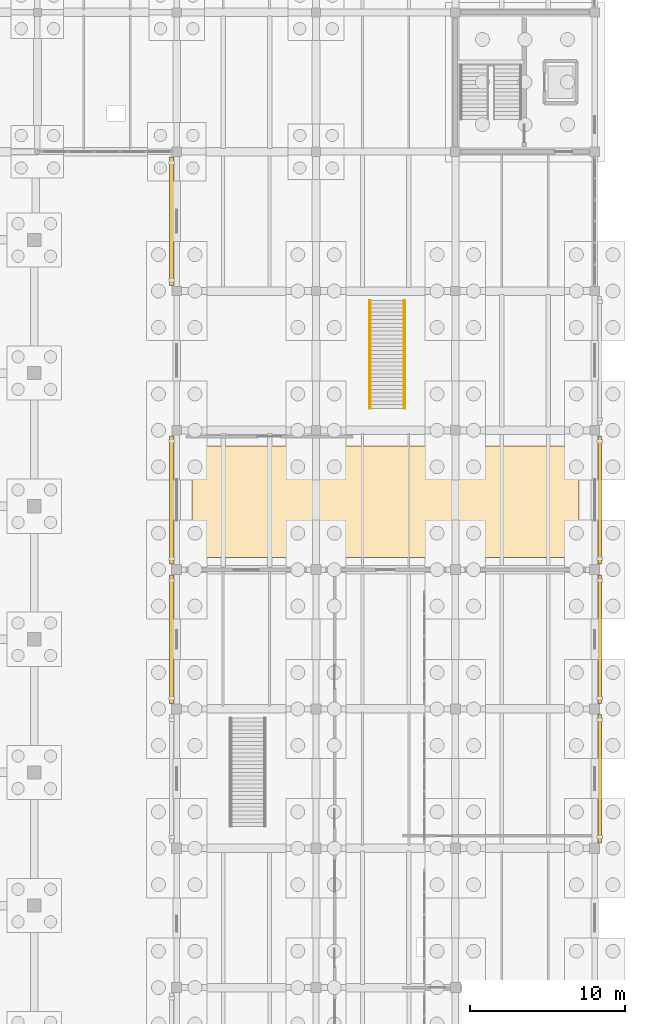
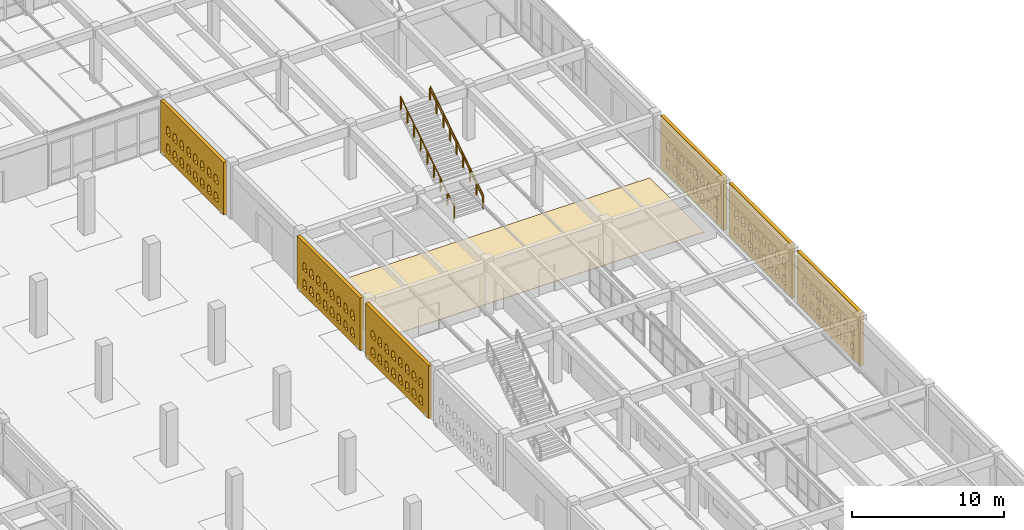
# One storey, part 184 of 186: 7 coverings, 4 railings.
"""IFC4 building model written with IfcOpenShell, lengths in metres."""

from ifc_helpers import new_model, si_unit, direction, frame, origin, origin_2d, place, context, subcontext, project, spatial, polyline, circle, outline, extrude, material, layer, layer_set, type_object, element, save


model = new_model("IFC4")

# Units and contexts
model_context = context("Model", 3, precision=1e-05, world=origin(), true_north=direction((0.0, 1.0)))
body_context = subcontext(model_context, "Body", "Model", "MODEL_VIEW")
ifc_project = project(units=[si_unit("LENGTHUNIT", "METRE"), si_unit("AREAUNIT", "SQUARE_METRE"), si_unit("VOLUMEUNIT", "CUBIC_METRE"), si_unit("PLANEANGLEUNIT", "RADIAN"), si_unit("MASSUNIT", "GRAM", prefix="KILO")], contexts=[model_context])

# Site, building, storey
site_placement = place(None, origin())
site = spatial("IfcSite", under=ifc_project, at=site_placement, CompositionType="ELEMENT")
building_placement = place(site_placement, origin())
building = spatial("IfcBuilding", under=site, at=building_placement, Name="Ornek Quay Market", CompositionType="ELEMENT")
storey_placement = place(building_placement, origin())
storey = spatial("IfcBuildingStorey", under=building, at=storey_placement, Name="L00", CompositionType="ELEMENT", Elevation=0.0)

# Coverings
ifc_material_1 = material(Name="Frost-resistant facing clay brick M200 F100", Category="masonry")
ifc_layer_1 = layer(ifc_material_1, 0.25, Name="Frost-resistant facing clay brick M200 F100", Category="masonry")
ifc_layer_set_1 = layer_set([ifc_layer_1], Name="Frost-resistant facing clay brick M200 F100")
covering_type_1 = type_object("IfcCoveringType", Name="COV-BRICK-LATTICE-250", PredefinedType="CLADDING", material=ifc_layer_set_1)
covering_1_placement = place(storey_placement, frame((152.669921875, 65.35009765625, 0.0), z_axis=(0.0, 0.0, 1.0), x_axis=(0.0, 1.0, 0.0)))
element("IfcCovering", 1, at=covering_1_placement, inside=storey, type_object=covering_type_1, Name="Arched brick lattice screen BLS-070", PredefinedType="CLADDING", context=body_context, shape_type="SweptSolid", body=[
    extrude(outline(polyline([(0.0, 0.0), (8.2998046875, 0.0), (8.2998046875, 4.22998046875), (0.0, 4.22998046875), (0.0, 0.0)]), holes=[polyline([(0.760009765625, 0.550048828125), (1.239990234375, 0.550048828125), (1.239990234375, 1.050048828125), (1.1201171875, 1.2578125), (0.8798828125, 1.2578125), (0.760009765625, 1.050048828125), (0.760009765625, 0.550048828125)]), polyline([(0.760009765625, 1.949951171875), (1.239990234375, 1.949951171875), (1.239990234375, 2.449951171875), (1.1201171875, 2.65771484375), (0.8798828125, 2.65771484375), (0.760009765625, 2.449951171875), (0.760009765625, 1.949951171875)]), polyline([(1.659912109375, 0.550048828125), (2.139892578125, 0.550048828125), (2.139892578125, 1.050048828125), (2.02001953125, 1.2578125), (1.780029296875, 1.2578125), (1.659912109375, 1.050048828125), (1.659912109375, 0.550048828125)]), polyline([(1.659912109375, 1.949951171875), (2.139892578125, 1.949951171875), (2.139892578125, 2.449951171875), (2.02001953125, 2.65771484375), (1.780029296875, 2.65771484375), (1.659912109375, 2.449951171875), (1.659912109375, 1.949951171875)]), polyline([(2.56005859375, 0.550048828125), (3.0400390625, 0.550048828125), (3.0400390625, 1.050048828125), (2.919921875, 1.2578125), (2.679931640625, 1.2578125), (2.56005859375, 1.050048828125), (2.56005859375, 0.550048828125)]), polyline([(2.56005859375, 1.949951171875), (3.0400390625, 1.949951171875), (3.0400390625, 2.449951171875), (2.919921875, 2.65771484375), (2.679931640625, 2.65771484375), (2.56005859375, 2.449951171875), (2.56005859375, 1.949951171875)]), polyline([(3.4599609375, 0.550048828125), (3.93994140625, 0.550048828125), (3.93994140625, 1.050048828125), (3.820068359375, 1.2578125), (3.580078125, 1.2578125), (3.4599609375, 1.050048828125), (3.4599609375, 0.550048828125)]), polyline([(3.4599609375, 1.949951171875), (3.93994140625, 1.949951171875), (3.93994140625, 2.449951171875), (3.820068359375, 2.65771484375), (3.580078125, 2.65771484375), (3.4599609375, 2.449951171875), (3.4599609375, 1.949951171875)]), polyline([(4.360107421875, 0.550048828125), (4.840087890625, 0.550048828125), (4.840087890625, 1.050048828125), (4.719970703125, 1.2578125), (4.47998046875, 1.2578125), (4.360107421875, 1.050048828125), (4.360107421875, 0.550048828125)]), polyline([(4.360107421875, 1.949951171875), (4.840087890625, 1.949951171875), (4.840087890625, 2.449951171875), (4.719970703125, 2.65771484375), (4.47998046875, 2.65771484375), (4.360107421875, 2.449951171875), (4.360107421875, 1.949951171875)]), polyline([(5.260009765625, 0.550048828125), (5.739990234375, 0.550048828125), (5.739990234375, 1.050048828125), (5.6201171875, 1.2578125), (5.3798828125, 1.2578125), (5.260009765625, 1.050048828125), (5.260009765625, 0.550048828125)]), polyline([(5.260009765625, 1.949951171875), (5.739990234375, 1.949951171875), (5.739990234375, 2.449951171875), (5.6201171875, 2.65771484375), (5.3798828125, 2.65771484375), (5.260009765625, 2.449951171875), (5.260009765625, 1.949951171875)]), polyline([(6.159912109375, 0.550048828125), (6.639892578125, 0.550048828125), (6.639892578125, 1.050048828125), (6.52001953125, 1.2578125), (6.280029296875, 1.2578125), (6.159912109375, 1.050048828125), (6.159912109375, 0.550048828125)]), polyline([(6.159912109375, 1.949951171875), (6.639892578125, 1.949951171875), (6.639892578125, 2.449951171875), (6.52001953125, 2.65771484375), (6.280029296875, 2.65771484375), (6.159912109375, 2.449951171875), (6.159912109375, 1.949951171875)]), polyline([(7.06005859375, 0.550048828125), (7.5400390625, 0.550048828125), (7.5400390625, 1.050048828125), (7.419921875, 1.2578125), (7.179931640625, 1.2578125), (7.06005859375, 1.050048828125), (7.06005859375, 0.550048828125)]), polyline([(7.06005859375, 1.949951171875), (7.5400390625, 1.949951171875), (7.5400390625, 2.449951171875), (7.419921875, 2.65771484375), (7.179931640625, 2.65771484375), (7.06005859375, 2.449951171875), (7.06005859375, 1.949951171875)])]), frame((0.0, 0.125, 0.0), z_axis=(0.0, -1.0, 0.0), x_axis=(1.0, 0.0, 0.0)), (0.0, 0.0, 1.0), 0.25),
])
covering_2_placement = place(storey_placement, frame((152.669921875, 83.35009765625, 0.0), z_axis=(0.0, 0.0, 1.0), x_axis=(0.0, 1.0, 0.0)))
element("IfcCovering", 2, at=covering_2_placement, inside=storey, type_object=covering_type_1, Name="Arched brick lattice screen BLS-071", PredefinedType="CLADDING", context=body_context, shape_type="SweptSolid", body=[
    extrude(outline(polyline([(0.0, 0.0), (8.2998046875, 0.0), (8.2998046875, 4.22998046875), (0.0, 4.22998046875), (0.0, 0.0)]), holes=[polyline([(0.760009765625, 0.550048828125), (1.239990234375, 0.550048828125), (1.239990234375, 1.050048828125), (1.1201171875, 1.2578125), (0.8798828125, 1.2578125), (0.760009765625, 1.050048828125), (0.760009765625, 0.550048828125)]), polyline([(0.760009765625, 1.949951171875), (1.239990234375, 1.949951171875), (1.239990234375, 2.449951171875), (1.1201171875, 2.65771484375), (0.8798828125, 2.65771484375), (0.760009765625, 2.449951171875), (0.760009765625, 1.949951171875)]), polyline([(1.659912109375, 0.550048828125), (2.139892578125, 0.550048828125), (2.139892578125, 1.050048828125), (2.02001953125, 1.2578125), (1.780029296875, 1.2578125), (1.659912109375, 1.050048828125), (1.659912109375, 0.550048828125)]), polyline([(1.659912109375, 1.949951171875), (2.139892578125, 1.949951171875), (2.139892578125, 2.449951171875), (2.02001953125, 2.65771484375), (1.780029296875, 2.65771484375), (1.659912109375, 2.449951171875), (1.659912109375, 1.949951171875)]), polyline([(2.56005859375, 0.550048828125), (3.0400390625, 0.550048828125), (3.0400390625, 1.050048828125), (2.919921875, 1.2578125), (2.679931640625, 1.2578125), (2.56005859375, 1.050048828125), (2.56005859375, 0.550048828125)]), polyline([(2.56005859375, 1.949951171875), (3.0400390625, 1.949951171875), (3.0400390625, 2.449951171875), (2.919921875, 2.65771484375), (2.679931640625, 2.65771484375), (2.56005859375, 2.449951171875), (2.56005859375, 1.949951171875)]), polyline([(3.4599609375, 0.550048828125), (3.93994140625, 0.550048828125), (3.93994140625, 1.050048828125), (3.820068359375, 1.2578125), (3.580078125, 1.2578125), (3.4599609375, 1.050048828125), (3.4599609375, 0.550048828125)]), polyline([(3.4599609375, 1.949951171875), (3.93994140625, 1.949951171875), (3.93994140625, 2.449951171875), (3.820068359375, 2.65771484375), (3.580078125, 2.65771484375), (3.4599609375, 2.449951171875), (3.4599609375, 1.949951171875)]), polyline([(4.360107421875, 0.550048828125), (4.840087890625, 0.550048828125), (4.840087890625, 1.050048828125), (4.719970703125, 1.2578125), (4.47998046875, 1.2578125), (4.360107421875, 1.050048828125), (4.360107421875, 0.550048828125)]), polyline([(4.360107421875, 1.949951171875), (4.840087890625, 1.949951171875), (4.840087890625, 2.449951171875), (4.719970703125, 2.65771484375), (4.47998046875, 2.65771484375), (4.360107421875, 2.449951171875), (4.360107421875, 1.949951171875)]), polyline([(5.260009765625, 0.550048828125), (5.739990234375, 0.550048828125), (5.739990234375, 1.050048828125), (5.6201171875, 1.2578125), (5.3798828125, 1.2578125), (5.260009765625, 1.050048828125), (5.260009765625, 0.550048828125)]), polyline([(5.260009765625, 1.949951171875), (5.739990234375, 1.949951171875), (5.739990234375, 2.449951171875), (5.6201171875, 2.65771484375), (5.3798828125, 2.65771484375), (5.260009765625, 2.449951171875), (5.260009765625, 1.949951171875)]), polyline([(6.159912109375, 0.550048828125), (6.639892578125, 0.550048828125), (6.639892578125, 1.050048828125), (6.52001953125, 1.2578125), (6.280029296875, 1.2578125), (6.159912109375, 1.050048828125), (6.159912109375, 0.550048828125)]), polyline([(6.159912109375, 1.949951171875), (6.639892578125, 1.949951171875), (6.639892578125, 2.449951171875), (6.52001953125, 2.65771484375), (6.280029296875, 2.65771484375), (6.159912109375, 2.449951171875), (6.159912109375, 1.949951171875)]), polyline([(7.06005859375, 0.550048828125), (7.5400390625, 0.550048828125), (7.5400390625, 1.050048828125), (7.419921875, 1.2578125), (7.179931640625, 1.2578125), (7.06005859375, 1.050048828125), (7.06005859375, 0.550048828125)]), polyline([(7.06005859375, 1.949951171875), (7.5400390625, 1.949951171875), (7.5400390625, 2.449951171875), (7.419921875, 2.65771484375), (7.179931640625, 2.65771484375), (7.06005859375, 2.449951171875), (7.06005859375, 1.949951171875)])]), frame((0.0, 0.125, 0.0), z_axis=(0.0, -1.0, 0.0), x_axis=(1.0, 0.0, 0.0)), (0.0, 0.0, 1.0), 0.25),
])
covering_3_placement = place(storey_placement, frame((180.330078125, 65.35009765625, 0.0), z_axis=(0.0, 0.0, 1.0), x_axis=(0.0, 1.0, 0.0)))
element("IfcCovering", 3, at=covering_3_placement, inside=storey, type_object=covering_type_1, Name="Arched brick lattice screen BLS-072", PredefinedType="CLADDING", context=body_context, shape_type="SweptSolid", body=[
    extrude(outline(polyline([(0.0, 0.0), (8.2998046875, 0.0), (8.2998046875, 4.22998046875), (0.0, 4.22998046875), (0.0, 0.0)]), holes=[polyline([(0.760009765625, 0.550048828125), (1.239990234375, 0.550048828125), (1.239990234375, 1.050048828125), (1.1201171875, 1.2578125), (0.8798828125, 1.2578125), (0.760009765625, 1.050048828125), (0.760009765625, 0.550048828125)]), polyline([(0.760009765625, 1.949951171875), (1.239990234375, 1.949951171875), (1.239990234375, 2.449951171875), (1.1201171875, 2.65771484375), (0.8798828125, 2.65771484375), (0.760009765625, 2.449951171875), (0.760009765625, 1.949951171875)]), polyline([(1.659912109375, 0.550048828125), (2.139892578125, 0.550048828125), (2.139892578125, 1.050048828125), (2.02001953125, 1.2578125), (1.780029296875, 1.2578125), (1.659912109375, 1.050048828125), (1.659912109375, 0.550048828125)]), polyline([(1.659912109375, 1.949951171875), (2.139892578125, 1.949951171875), (2.139892578125, 2.449951171875), (2.02001953125, 2.65771484375), (1.780029296875, 2.65771484375), (1.659912109375, 2.449951171875), (1.659912109375, 1.949951171875)]), polyline([(2.56005859375, 0.550048828125), (3.0400390625, 0.550048828125), (3.0400390625, 1.050048828125), (2.919921875, 1.2578125), (2.679931640625, 1.2578125), (2.56005859375, 1.050048828125), (2.56005859375, 0.550048828125)]), polyline([(2.56005859375, 1.949951171875), (3.0400390625, 1.949951171875), (3.0400390625, 2.449951171875), (2.919921875, 2.65771484375), (2.679931640625, 2.65771484375), (2.56005859375, 2.449951171875), (2.56005859375, 1.949951171875)]), polyline([(3.4599609375, 0.550048828125), (3.93994140625, 0.550048828125), (3.93994140625, 1.050048828125), (3.820068359375, 1.2578125), (3.580078125, 1.2578125), (3.4599609375, 1.050048828125), (3.4599609375, 0.550048828125)]), polyline([(3.4599609375, 1.949951171875), (3.93994140625, 1.949951171875), (3.93994140625, 2.449951171875), (3.820068359375, 2.65771484375), (3.580078125, 2.65771484375), (3.4599609375, 2.449951171875), (3.4599609375, 1.949951171875)]), polyline([(4.360107421875, 0.550048828125), (4.840087890625, 0.550048828125), (4.840087890625, 1.050048828125), (4.719970703125, 1.2578125), (4.47998046875, 1.2578125), (4.360107421875, 1.050048828125), (4.360107421875, 0.550048828125)]), polyline([(4.360107421875, 1.949951171875), (4.840087890625, 1.949951171875), (4.840087890625, 2.449951171875), (4.719970703125, 2.65771484375), (4.47998046875, 2.65771484375), (4.360107421875, 2.449951171875), (4.360107421875, 1.949951171875)]), polyline([(5.260009765625, 0.550048828125), (5.739990234375, 0.550048828125), (5.739990234375, 1.050048828125), (5.6201171875, 1.2578125), (5.3798828125, 1.2578125), (5.260009765625, 1.050048828125), (5.260009765625, 0.550048828125)]), polyline([(5.260009765625, 1.949951171875), (5.739990234375, 1.949951171875), (5.739990234375, 2.449951171875), (5.6201171875, 2.65771484375), (5.3798828125, 2.65771484375), (5.260009765625, 2.449951171875), (5.260009765625, 1.949951171875)]), polyline([(6.159912109375, 0.550048828125), (6.639892578125, 0.550048828125), (6.639892578125, 1.050048828125), (6.52001953125, 1.2578125), (6.280029296875, 1.2578125), (6.159912109375, 1.050048828125), (6.159912109375, 0.550048828125)]), polyline([(6.159912109375, 1.949951171875), (6.639892578125, 1.949951171875), (6.639892578125, 2.449951171875), (6.52001953125, 2.65771484375), (6.280029296875, 2.65771484375), (6.159912109375, 2.449951171875), (6.159912109375, 1.949951171875)]), polyline([(7.06005859375, 0.550048828125), (7.5400390625, 0.550048828125), (7.5400390625, 1.050048828125), (7.419921875, 1.2578125), (7.179931640625, 1.2578125), (7.06005859375, 1.050048828125), (7.06005859375, 0.550048828125)]), polyline([(7.06005859375, 1.949951171875), (7.5400390625, 1.949951171875), (7.5400390625, 2.449951171875), (7.419921875, 2.65771484375), (7.179931640625, 2.65771484375), (7.06005859375, 2.449951171875), (7.06005859375, 1.949951171875)])]), frame((0.0, 0.125, 0.0), z_axis=(0.0, -1.0, 0.0), x_axis=(1.0, 0.0, 0.0)), (0.0, 0.0, 1.0), 0.25),
])
covering_4_placement = place(storey_placement, frame((152.669921875, 56.35009765625, 0.0), z_axis=(0.0, 0.0, 1.0), x_axis=(0.0, 1.0, 0.0)))
element("IfcCovering", 4, at=covering_4_placement, inside=storey, type_object=covering_type_1, Name="Arched brick lattice screen BLS-090", PredefinedType="CLADDING", context=body_context, shape_type="SweptSolid", body=[
    extrude(outline(polyline([(0.0, 0.0), (8.2998046875, 0.0), (8.2998046875, 4.25), (0.0, 4.25), (0.0, 0.0)]), holes=[polyline([(0.760009765625, 0.550048828125), (1.239990234375, 0.550048828125), (1.239990234375, 1.050048828125), (1.1201171875, 1.2578125), (0.8798828125, 1.2578125), (0.760009765625, 1.050048828125), (0.760009765625, 0.550048828125)]), polyline([(0.760009765625, 1.949951171875), (1.239990234375, 1.949951171875), (1.239990234375, 2.449951171875), (1.1201171875, 2.65771484375), (0.8798828125, 2.65771484375), (0.760009765625, 2.449951171875), (0.760009765625, 1.949951171875)]), polyline([(1.659912109375, 0.550048828125), (2.139892578125, 0.550048828125), (2.139892578125, 1.050048828125), (2.02001953125, 1.2578125), (1.780029296875, 1.2578125), (1.659912109375, 1.050048828125), (1.659912109375, 0.550048828125)]), polyline([(1.659912109375, 1.949951171875), (2.139892578125, 1.949951171875), (2.139892578125, 2.449951171875), (2.02001953125, 2.65771484375), (1.780029296875, 2.65771484375), (1.659912109375, 2.449951171875), (1.659912109375, 1.949951171875)]), polyline([(2.56005859375, 0.550048828125), (3.0400390625, 0.550048828125), (3.0400390625, 1.050048828125), (2.919921875, 1.2578125), (2.679931640625, 1.2578125), (2.56005859375, 1.050048828125), (2.56005859375, 0.550048828125)]), polyline([(2.56005859375, 1.949951171875), (3.0400390625, 1.949951171875), (3.0400390625, 2.449951171875), (2.919921875, 2.65771484375), (2.679931640625, 2.65771484375), (2.56005859375, 2.449951171875), (2.56005859375, 1.949951171875)]), polyline([(3.4599609375, 0.550048828125), (3.93994140625, 0.550048828125), (3.93994140625, 1.050048828125), (3.820068359375, 1.2578125), (3.580078125, 1.2578125), (3.4599609375, 1.050048828125), (3.4599609375, 0.550048828125)]), polyline([(3.4599609375, 1.949951171875), (3.93994140625, 1.949951171875), (3.93994140625, 2.449951171875), (3.820068359375, 2.65771484375), (3.580078125, 2.65771484375), (3.4599609375, 2.449951171875), (3.4599609375, 1.949951171875)]), polyline([(4.360107421875, 0.550048828125), (4.840087890625, 0.550048828125), (4.840087890625, 1.050048828125), (4.719970703125, 1.2578125), (4.47998046875, 1.2578125), (4.360107421875, 1.050048828125), (4.360107421875, 0.550048828125)]), polyline([(4.360107421875, 1.949951171875), (4.840087890625, 1.949951171875), (4.840087890625, 2.449951171875), (4.719970703125, 2.65771484375), (4.47998046875, 2.65771484375), (4.360107421875, 2.449951171875), (4.360107421875, 1.949951171875)]), polyline([(5.260009765625, 0.550048828125), (5.739990234375, 0.550048828125), (5.739990234375, 1.050048828125), (5.6201171875, 1.2578125), (5.3798828125, 1.2578125), (5.260009765625, 1.050048828125), (5.260009765625, 0.550048828125)]), polyline([(5.260009765625, 1.949951171875), (5.739990234375, 1.949951171875), (5.739990234375, 2.449951171875), (5.6201171875, 2.65771484375), (5.3798828125, 2.65771484375), (5.260009765625, 2.449951171875), (5.260009765625, 1.949951171875)]), polyline([(6.159912109375, 0.550048828125), (6.639892578125, 0.550048828125), (6.639892578125, 1.050048828125), (6.52001953125, 1.2578125), (6.280029296875, 1.2578125), (6.159912109375, 1.050048828125), (6.159912109375, 0.550048828125)]), polyline([(6.159912109375, 1.949951171875), (6.639892578125, 1.949951171875), (6.639892578125, 2.449951171875), (6.52001953125, 2.65771484375), (6.280029296875, 2.65771484375), (6.159912109375, 2.449951171875), (6.159912109375, 1.949951171875)]), polyline([(7.06005859375, 0.550048828125), (7.5400390625, 0.550048828125), (7.5400390625, 1.050048828125), (7.419921875, 1.2578125), (7.179931640625, 1.2578125), (7.06005859375, 1.050048828125), (7.06005859375, 0.550048828125)]), polyline([(7.06005859375, 1.949951171875), (7.5400390625, 1.949951171875), (7.5400390625, 2.449951171875), (7.419921875, 2.65771484375), (7.179931640625, 2.65771484375), (7.06005859375, 2.449951171875), (7.06005859375, 1.949951171875)])]), frame((0.0, 0.125, 0.0), z_axis=(0.0, -1.0, 0.0), x_axis=(1.0, 0.0, 0.0)), (0.0, 0.0, 1.0), 0.25),
])
covering_5_placement = place(storey_placement, frame((180.330078125, 47.35009765625, 0.0), z_axis=(0.0, 0.0, 1.0), x_axis=(0.0, 1.0, 0.0)))
element("IfcCovering", 5, at=covering_5_placement, inside=storey, type_object=covering_type_1, Name="Arched brick lattice screen BLS-093", PredefinedType="CLADDING", context=body_context, shape_type="SweptSolid", body=[
    extrude(outline(polyline([(0.0, 0.0), (8.2998046875, 0.0), (8.2998046875, 4.25), (0.0, 4.25), (0.0, 0.0)]), holes=[polyline([(0.760009765625, 0.550048828125), (1.239990234375, 0.550048828125), (1.239990234375, 1.050048828125), (1.1201171875, 1.2578125), (0.8798828125, 1.2578125), (0.760009765625, 1.050048828125), (0.760009765625, 0.550048828125)]), polyline([(0.760009765625, 1.949951171875), (1.239990234375, 1.949951171875), (1.239990234375, 2.449951171875), (1.1201171875, 2.65771484375), (0.8798828125, 2.65771484375), (0.760009765625, 2.449951171875), (0.760009765625, 1.949951171875)]), polyline([(1.659912109375, 0.550048828125), (2.139892578125, 0.550048828125), (2.139892578125, 1.050048828125), (2.02001953125, 1.2578125), (1.780029296875, 1.2578125), (1.659912109375, 1.050048828125), (1.659912109375, 0.550048828125)]), polyline([(1.659912109375, 1.949951171875), (2.139892578125, 1.949951171875), (2.139892578125, 2.449951171875), (2.02001953125, 2.65771484375), (1.780029296875, 2.65771484375), (1.659912109375, 2.449951171875), (1.659912109375, 1.949951171875)]), polyline([(2.56005859375, 0.550048828125), (3.0400390625, 0.550048828125), (3.0400390625, 1.050048828125), (2.919921875, 1.2578125), (2.679931640625, 1.2578125), (2.56005859375, 1.050048828125), (2.56005859375, 0.550048828125)]), polyline([(2.56005859375, 1.949951171875), (3.0400390625, 1.949951171875), (3.0400390625, 2.449951171875), (2.919921875, 2.65771484375), (2.679931640625, 2.65771484375), (2.56005859375, 2.449951171875), (2.56005859375, 1.949951171875)]), polyline([(3.4599609375, 0.550048828125), (3.93994140625, 0.550048828125), (3.93994140625, 1.050048828125), (3.820068359375, 1.2578125), (3.580078125, 1.2578125), (3.4599609375, 1.050048828125), (3.4599609375, 0.550048828125)]), polyline([(3.4599609375, 1.949951171875), (3.93994140625, 1.949951171875), (3.93994140625, 2.449951171875), (3.820068359375, 2.65771484375), (3.580078125, 2.65771484375), (3.4599609375, 2.449951171875), (3.4599609375, 1.949951171875)]), polyline([(4.360107421875, 0.550048828125), (4.840087890625, 0.550048828125), (4.840087890625, 1.050048828125), (4.719970703125, 1.2578125), (4.47998046875, 1.2578125), (4.360107421875, 1.050048828125), (4.360107421875, 0.550048828125)]), polyline([(4.360107421875, 1.949951171875), (4.840087890625, 1.949951171875), (4.840087890625, 2.449951171875), (4.719970703125, 2.65771484375), (4.47998046875, 2.65771484375), (4.360107421875, 2.449951171875), (4.360107421875, 1.949951171875)]), polyline([(5.260009765625, 0.550048828125), (5.739990234375, 0.550048828125), (5.739990234375, 1.050048828125), (5.6201171875, 1.2578125), (5.3798828125, 1.2578125), (5.260009765625, 1.050048828125), (5.260009765625, 0.550048828125)]), polyline([(5.260009765625, 1.949951171875), (5.739990234375, 1.949951171875), (5.739990234375, 2.449951171875), (5.6201171875, 2.65771484375), (5.3798828125, 2.65771484375), (5.260009765625, 2.449951171875), (5.260009765625, 1.949951171875)]), polyline([(6.159912109375, 0.550048828125), (6.639892578125, 0.550048828125), (6.639892578125, 1.050048828125), (6.52001953125, 1.2578125), (6.280029296875, 1.2578125), (6.159912109375, 1.050048828125), (6.159912109375, 0.550048828125)]), polyline([(6.159912109375, 1.949951171875), (6.639892578125, 1.949951171875), (6.639892578125, 2.449951171875), (6.52001953125, 2.65771484375), (6.280029296875, 2.65771484375), (6.159912109375, 2.449951171875), (6.159912109375, 1.949951171875)]), polyline([(7.06005859375, 0.550048828125), (7.5400390625, 0.550048828125), (7.5400390625, 1.050048828125), (7.419921875, 1.2578125), (7.179931640625, 1.2578125), (7.06005859375, 1.050048828125), (7.06005859375, 0.550048828125)]), polyline([(7.06005859375, 1.949951171875), (7.5400390625, 1.949951171875), (7.5400390625, 2.449951171875), (7.419921875, 2.65771484375), (7.179931640625, 2.65771484375), (7.06005859375, 2.449951171875), (7.06005859375, 1.949951171875)])]), frame((0.0, 0.125, 0.0), z_axis=(0.0, -1.0, 0.0), x_axis=(1.0, 0.0, 0.0)), (0.0, 0.0, 1.0), 0.25),
])
covering_6_placement = place(storey_placement, frame((180.330078125, 56.35009765625, 0.0), z_axis=(0.0, 0.0, 1.0), x_axis=(0.0, 1.0, 0.0)))
element("IfcCovering", 6, at=covering_6_placement, inside=storey, type_object=covering_type_1, Name="Arched brick lattice screen BLS-094", PredefinedType="CLADDING", context=body_context, shape_type="SweptSolid", body=[
    extrude(outline(polyline([(0.0, 0.0), (8.2998046875, 0.0), (8.2998046875, 4.25), (0.0, 4.25), (0.0, 0.0)]), holes=[polyline([(0.760009765625, 0.550048828125), (1.239990234375, 0.550048828125), (1.239990234375, 1.050048828125), (1.1201171875, 1.2578125), (0.8798828125, 1.2578125), (0.760009765625, 1.050048828125), (0.760009765625, 0.550048828125)]), polyline([(0.760009765625, 1.949951171875), (1.239990234375, 1.949951171875), (1.239990234375, 2.449951171875), (1.1201171875, 2.65771484375), (0.8798828125, 2.65771484375), (0.760009765625, 2.449951171875), (0.760009765625, 1.949951171875)]), polyline([(1.659912109375, 0.550048828125), (2.139892578125, 0.550048828125), (2.139892578125, 1.050048828125), (2.02001953125, 1.2578125), (1.780029296875, 1.2578125), (1.659912109375, 1.050048828125), (1.659912109375, 0.550048828125)]), polyline([(1.659912109375, 1.949951171875), (2.139892578125, 1.949951171875), (2.139892578125, 2.449951171875), (2.02001953125, 2.65771484375), (1.780029296875, 2.65771484375), (1.659912109375, 2.449951171875), (1.659912109375, 1.949951171875)]), polyline([(2.56005859375, 0.550048828125), (3.0400390625, 0.550048828125), (3.0400390625, 1.050048828125), (2.919921875, 1.2578125), (2.679931640625, 1.2578125), (2.56005859375, 1.050048828125), (2.56005859375, 0.550048828125)]), polyline([(2.56005859375, 1.949951171875), (3.0400390625, 1.949951171875), (3.0400390625, 2.449951171875), (2.919921875, 2.65771484375), (2.679931640625, 2.65771484375), (2.56005859375, 2.449951171875), (2.56005859375, 1.949951171875)]), polyline([(3.4599609375, 0.550048828125), (3.93994140625, 0.550048828125), (3.93994140625, 1.050048828125), (3.820068359375, 1.2578125), (3.580078125, 1.2578125), (3.4599609375, 1.050048828125), (3.4599609375, 0.550048828125)]), polyline([(3.4599609375, 1.949951171875), (3.93994140625, 1.949951171875), (3.93994140625, 2.449951171875), (3.820068359375, 2.65771484375), (3.580078125, 2.65771484375), (3.4599609375, 2.449951171875), (3.4599609375, 1.949951171875)]), polyline([(4.360107421875, 0.550048828125), (4.840087890625, 0.550048828125), (4.840087890625, 1.050048828125), (4.719970703125, 1.2578125), (4.47998046875, 1.2578125), (4.360107421875, 1.050048828125), (4.360107421875, 0.550048828125)]), polyline([(4.360107421875, 1.949951171875), (4.840087890625, 1.949951171875), (4.840087890625, 2.449951171875), (4.719970703125, 2.65771484375), (4.47998046875, 2.65771484375), (4.360107421875, 2.449951171875), (4.360107421875, 1.949951171875)]), polyline([(5.260009765625, 0.550048828125), (5.739990234375, 0.550048828125), (5.739990234375, 1.050048828125), (5.6201171875, 1.2578125), (5.3798828125, 1.2578125), (5.260009765625, 1.050048828125), (5.260009765625, 0.550048828125)]), polyline([(5.260009765625, 1.949951171875), (5.739990234375, 1.949951171875), (5.739990234375, 2.449951171875), (5.6201171875, 2.65771484375), (5.3798828125, 2.65771484375), (5.260009765625, 2.449951171875), (5.260009765625, 1.949951171875)]), polyline([(6.159912109375, 0.550048828125), (6.639892578125, 0.550048828125), (6.639892578125, 1.050048828125), (6.52001953125, 1.2578125), (6.280029296875, 1.2578125), (6.159912109375, 1.050048828125), (6.159912109375, 0.550048828125)]), polyline([(6.159912109375, 1.949951171875), (6.639892578125, 1.949951171875), (6.639892578125, 2.449951171875), (6.52001953125, 2.65771484375), (6.280029296875, 2.65771484375), (6.159912109375, 2.449951171875), (6.159912109375, 1.949951171875)]), polyline([(7.06005859375, 0.550048828125), (7.5400390625, 0.550048828125), (7.5400390625, 1.050048828125), (7.419921875, 1.2578125), (7.179931640625, 1.2578125), (7.06005859375, 1.050048828125), (7.06005859375, 0.550048828125)]), polyline([(7.06005859375, 1.949951171875), (7.5400390625, 1.949951171875), (7.5400390625, 2.449951171875), (7.419921875, 2.65771484375), (7.179931640625, 2.65771484375), (7.06005859375, 2.449951171875), (7.06005859375, 1.949951171875)])]), frame((0.0, 0.125, 0.0), z_axis=(0.0, -1.0, 0.0), x_axis=(1.0, 0.0, 0.0)), (0.0, 0.0, 1.0), 0.25),
])
ifc_material_2 = material(Name="Hygienic slip-resistant polyurethane food-grade screed", Category="other")
ifc_layer_2 = layer(ifc_material_2, 0.02001953125, Name="Hygienic slip-resistant polyurethane food-grade screed", Category="other")
ifc_layer_set_2 = layer_set([ifc_layer_2], Name="Hygienic slip-resistant polyurethane food-grade screed")
covering_type_2 = type_object("IfcCoveringType", Name="COV-FLR-RESIN-20", PredefinedType="FLOORING", material=ifc_layer_set_2)
covering_7_placement = place(storey_placement, origin())
element("IfcCovering", 7, at=covering_7_placement, inside=storey, type_object=covering_type_2, Name="Finished flooring FLG-16", PredefinedType="FLOORING", context=body_context, shape_type="SweptSolid", body=[
    extrude(outline(polyline([(154.0, 65.800048828125), (179.0, 65.800048828125), (179.0, 73.0), (154.0, 73.0), (154.0, 65.800048828125)])), origin(), (0.0, 0.0, 1.0), 0.02001953125),
])

# Railings
ifc_material_3 = material(Name="Brushed stainless steel 316", Category="steel")
railing_type_1 = type_object("IfcRailingType", Name="RL-GUARD-STAIR-1100", PredefinedType="GUARDRAIL", material=ifc_material_3)
for number, where, name in (
    (8, (165.4599609375, 75.404052734375, 0.0), "Railing GR-03-095"),
    (9, (167.739990234375, 75.404052734375, 0.0), "Railing GR-03-096"),
):
    element("IfcRailing", number, at=place(storey_placement, frame(where)), inside=storey, type_object=railing_type_1, Name=name, PredefinedType="GUARDRAIL", context=body_context, shape_type="SweptSolid", body=[
        extrude(circle(Radius=0.02392578125, at=origin_2d()), frame((0.0, 0.0, 1.09619140625), z_axis=(0.0, 0.841032540973, 0.540984533073), x_axis=(-1.0, 0.0, 0.0)), (0.0, 0.0, 1.0), 8.318115234375),
        extrude(circle(Radius=0.02099609375, at=origin_2d()), origin(), (0.0, 0.0, 1.0), 1.068115234375),
        extrude(circle(Radius=0.02099609375, at=origin_2d()), frame((0.0, 0.87451171875, 0.5625)), (0.0, 0.0, 1.0), 1.068115234375),
        extrude(circle(Radius=0.02099609375, at=origin_2d()), frame((0.0, 1.7490234375, 1.125)), (0.0, 0.0, 1.0), 1.068115234375),
        extrude(circle(Radius=0.02099609375, at=origin_2d()), frame((0.0, 2.62353515625, 1.6875)), (0.0, 0.0, 1.0), 1.068115234375),
        extrude(circle(Radius=0.02099609375, at=origin_2d()), frame((0.0, 3.498046875, 2.25)), (0.0, 0.0, 1.0), 1.068115234375),
        extrude(circle(Radius=0.02099609375, at=origin_2d()), frame((0.0, 4.372314453125, 2.8125)), (0.0, 0.0, 1.0), 1.068115234375),
        extrude(circle(Radius=0.02099609375, at=origin_2d()), frame((0.0, 5.246826171875, 3.375)), (0.0, 0.0, 1.0), 1.068115234375),
        extrude(circle(Radius=0.02099609375, at=origin_2d()), frame((0.0, 6.121337890625, 3.9375)), (0.0, 0.0, 1.0), 1.068115234375),
        extrude(circle(Radius=0.02099609375, at=origin_2d()), frame((0.0, 6.995849609375, 4.5)), (0.0, 0.0, 1.0), 1.068115234375),
    ])
railing_type_2 = type_object("IfcRailingType", Name="RL-HANDRAIL-920", PredefinedType="HANDRAIL", material=ifc_material_3)
for number, where, name in (
    (10, (165.52001953125, 75.404052734375, 0.080078125), "Railing HR-01-097"),
    (11, (167.679931640625, 75.404052734375, 0.080078125), "Railing HR-01-098"),
):
    element("IfcRailing", number, at=place(storey_placement, frame(where)), inside=storey, type_object=railing_type_2, Name=name, PredefinedType="HANDRAIL", context=body_context, shape_type="SweptSolid", body=[
        extrude(circle(Radius=0.02392578125, at=origin_2d()), frame((0.0, 0.0, 0.89599609375), z_axis=(0.0, 0.841032540973, 0.540984533073), x_axis=(-1.0, 0.0, 0.0)), (0.0, 0.0, 1.0), 8.318115234375),
        extrude(circle(Radius=0.02099609375, at=origin_2d()), origin(), (0.0, 0.0, 1.0), 0.867919921875),
        extrude(circle(Radius=0.02099609375, at=origin_2d()), frame((0.0, 0.87451171875, 0.5625)), (0.0, 0.0, 1.0), 0.867919921875),
        extrude(circle(Radius=0.02099609375, at=origin_2d()), frame((0.0, 1.7490234375, 1.125)), (0.0, 0.0, 1.0), 0.867919921875),
        extrude(circle(Radius=0.02099609375, at=origin_2d()), frame((0.0, 2.62353515625, 1.6875)), (0.0, 0.0, 1.0), 0.867919921875),
        extrude(circle(Radius=0.02099609375, at=origin_2d()), frame((0.0, 3.498046875, 2.25)), (0.0, 0.0, 1.0), 0.867919921875),
        extrude(circle(Radius=0.02099609375, at=origin_2d()), frame((0.0, 4.372314453125, 2.8125)), (0.0, 0.0, 1.0), 0.867919921875),
        extrude(circle(Radius=0.02099609375, at=origin_2d()), frame((0.0, 5.246826171875, 3.375)), (0.0, 0.0, 1.0), 0.867919921875),
        extrude(circle(Radius=0.02099609375, at=origin_2d()), frame((0.0, 6.121337890625, 3.9375)), (0.0, 0.0, 1.0), 0.867919921875),
        extrude(circle(Radius=0.02099609375, at=origin_2d()), frame((0.0, 6.995849609375, 4.5)), (0.0, 0.0, 1.0), 0.867919921875),
    ])

save(model, "model.ifc")
